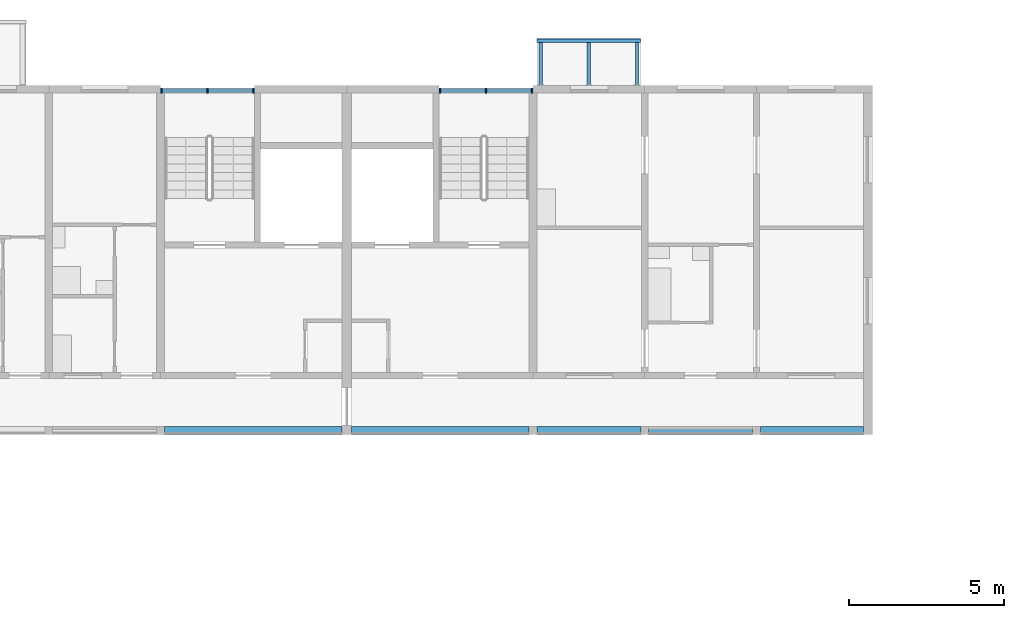
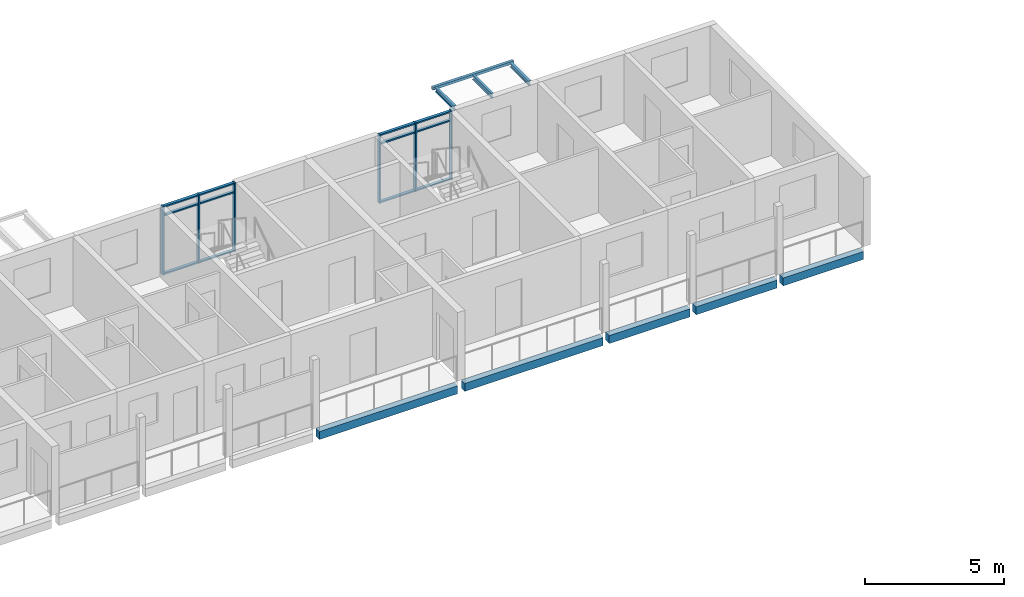
# One storey, part 28 of 115: 18 members, 9 beams, 2 elements without a shape of their own.
"""IFC4 building model written with IfcOpenShell, lengths in metres."""

from ifc_helpers import new_model, si_unit, direction, frame, origin, origin_2d, place, context, subcontext, project, spatial, rectangle, hollow_rectangle, i_section, extrude, material, material_profile, profile_set, type_object, element, aggregate, save


model = new_model("IFC4")

# Units and contexts
model_context = context("Model", 3, precision=1e-05, world=origin(), true_north=direction((0.0, 1.0)))
body_context = subcontext(model_context, "Body", "Model", "MODEL_VIEW")
ifc_project = project(units=[si_unit("LENGTHUNIT", "METRE"), si_unit("AREAUNIT", "SQUARE_METRE"), si_unit("VOLUMEUNIT", "CUBIC_METRE"), si_unit("PLANEANGLEUNIT", "RADIAN"), si_unit("MASSUNIT", "GRAM", prefix="KILO")], contexts=[model_context])

# Site, building, storey
site_placement = place(None, origin())
site = spatial("IfcSite", under=ifc_project, at=site_placement, CompositionType="ELEMENT")
building_placement = place(site_placement, origin())
building = spatial("IfcBuilding", under=site, at=building_placement, Name="Ridgestep Commons", CompositionType="ELEMENT")
storey_placement = place(building_placement, frame((0.0, 0.0, 6.0)))
storey = spatial("IfcBuildingStorey", under=building, at=storey_placement, Name="L02", CompositionType="ELEMENT", Elevation=6.0)

# Beams
ifc_material_1 = material(Name="Precast concrete C40/50", Category="concrete")
ifc_material_profile_1 = material_profile(ifc_material_1, rectangle(XDim=0.25, YDim=0.35009765625, at=origin_2d()), Name="PC 250x350")
ifc_profile_set_1 = profile_set([ifc_material_profile_1], Name="Precast concrete C40/50")
beam_type_1 = type_object("IfcBeamType", Name="Loggia edge beam 250 x 350", PredefinedType="SPANDREL", material=ifc_profile_set_1)
beam_1_placement = place(storey_placement, frame((224.925048828125, 66.125, -0.375), z_axis=(1.0, 0.0, 0.0), x_axis=(0.0, 1.0, 0.0)))
element("IfcBeam", 1, at=beam_1_placement, inside=storey, type_object=beam_type_1, Name="Loggia edge beam C5C L02", PredefinedType="SPANDREL", context=body_context, shape_type="SweptSolid", body=[
    extrude(rectangle(XDim=0.25, YDim=0.35009765625, at=origin_2d()), origin(), (0.0, 0.0, 1.0), 5.724853515625),
])
beam_2_placement = place(storey_placement, frame((230.949951171875, 66.125, -0.375), z_axis=(1.0, 0.0, 0.0), x_axis=(0.0, 1.0, 0.0)))
element("IfcBeam", 2, at=beam_2_placement, inside=storey, type_object=beam_type_1, Name="Loggia edge beam C6C L02", PredefinedType="SPANDREL", context=body_context, shape_type="SweptSolid", body=[
    extrude(rectangle(XDim=0.25, YDim=0.35009765625, at=origin_2d()), origin(), (0.0, 0.0, 1.0), 5.72509765625),
])
beam_3_placement = place(storey_placement, frame((236.925048828125, 66.125, -0.375), z_axis=(1.0, 0.0, 0.0), x_axis=(0.0, 1.0, 0.0)))
element("IfcBeam", 3, at=beam_3_placement, inside=storey, type_object=beam_type_1, Name="Loggia edge beam C6T3 L02", PredefinedType="SPANDREL", context=body_context, shape_type="SweptSolid", body=[
    extrude(rectangle(XDim=0.25, YDim=0.35009765625, at=origin_2d()), origin(), (0.0, 0.0, 1.0), 3.349853515625),
])
beam_4_placement = place(storey_placement, frame((240.52490234375, 66.125, -0.375), z_axis=(1.0, 0.0, 0.0), x_axis=(0.0, 1.0, 0.0)))
element("IfcBeam", 4, at=beam_4_placement, inside=storey, type_object=beam_type_1, Name="Loggia edge beam C6T2 L02", PredefinedType="SPANDREL", context=body_context, shape_type="SweptSolid", body=[
    extrude(rectangle(XDim=0.25, YDim=0.35009765625, at=origin_2d()), origin(), (0.0, 0.0, 1.0), 3.35009765625),
])
beam_5_placement = place(storey_placement, frame((244.125, 66.125, -0.375), z_axis=(1.0, 0.0, 0.0), x_axis=(0.0, 1.0, 0.0)))
element("IfcBeam", 5, at=beam_5_placement, inside=storey, type_object=beam_type_1, Name="Loggia edge beam C6T1 L02", PredefinedType="SPANDREL", context=body_context, shape_type="SweptSolid", body=[
    extrude(rectangle(XDim=0.25, YDim=0.35009765625, at=origin_2d()), origin(), (0.0, 0.0, 1.0), 3.324951171875),
])

# Curtain wall, members
ifc_material_2 = material(Name="Aluminium 6063-T6 and glass", Category="aluminium")
curtain_wall_type = type_object("IfcCurtainWallType", Name="Curtain wall stair strip", PredefinedType="NOTDEFINED", material=ifc_material_2)
curtain_wall_1_placement = place(storey_placement, origin())
curtain_wall_1 = element("IfcCurtainWall", 6, at=curtain_wall_1_placement, inside=storey, type_object=curtain_wall_type, Name="Curtain wall C5C level 02", PredefinedType="NOTDEFINED")
ifc_material_3 = material(Name="Aluminium 6063-T6", Category="aluminium")
ifc_material_profile_2 = material_profile(ifc_material_3, rectangle(XDim=0.159912109375, YDim=0.06005859375, at=origin_2d()), Name="Mullion 60 x 160")
ifc_profile_set_2 = profile_set([ifc_material_profile_2], Name="Aluminium 6063-T6")
member_type_1 = type_object("IfcMemberType", Name="Mullion 60 x 160", PredefinedType="MULLION", material=ifc_profile_set_2)
member_1_placement = place(storey_placement, frame((224.830078125, 77.080078125, 0.0), z_axis=(0.0, 0.0, 1.0), x_axis=(0.0, 1.0, 0.0)))
member_1 = element("IfcMember", 7, at=member_1_placement, type_object=member_type_1, Name="CW1 mullion 1", PredefinedType="MULLION", context=body_context, shape_type="SweptSolid", body=[
    extrude(rectangle(XDim=0.159912109375, YDim=0.06005859375, at=origin_2d()), origin(), (0.0, 0.0, 1.0), 3.0),
])
member_2_placement = place(storey_placement, frame((226.3125, 77.080078125, 0.0), z_axis=(0.0, 0.0, 1.0), x_axis=(0.0, 1.0, 0.0)))
member_2 = element("IfcMember", 8, at=member_2_placement, type_object=member_type_1, Name="CW1 mullion 2", PredefinedType="MULLION", context=body_context, shape_type="SweptSolid", body=[
    extrude(rectangle(XDim=0.159912109375, YDim=0.06005859375, at=origin_2d()), origin(), (0.0, 0.0, 1.0), 3.0),
])
member_3_placement = place(storey_placement, frame((227.794921875, 77.080078125, 0.0), z_axis=(0.0, 0.0, 1.0), x_axis=(0.0, 1.0, 0.0)))
member_3 = element("IfcMember", 9, at=member_3_placement, type_object=member_type_1, Name="CW1 mullion 3", PredefinedType="MULLION", context=body_context, shape_type="SweptSolid", body=[
    extrude(rectangle(XDim=0.159912109375, YDim=0.06005859375, at=origin_2d()), origin(), (0.0, 0.0, 1.0), 3.0),
])

curtain_wall_2_placement = place(storey_placement, origin())
curtain_wall_2 = element("IfcCurtainWall", 10, at=curtain_wall_2_placement, inside=storey, type_object=curtain_wall_type, Name="Curtain wall C6C level 02", PredefinedType="NOTDEFINED")
member_4_placement = place(storey_placement, frame((233.804931640625, 77.080078125, 0.0), z_axis=(0.0, 0.0, 1.0), x_axis=(0.0, 1.0, 0.0)))
member_4 = element("IfcMember", 11, at=member_4_placement, type_object=member_type_1, Name="CW1 mullion 1", PredefinedType="MULLION", context=body_context, shape_type="SweptSolid", body=[
    extrude(rectangle(XDim=0.159912109375, YDim=0.06005859375, at=origin_2d()), origin(), (0.0, 0.0, 1.0), 3.0),
])
member_5_placement = place(storey_placement, frame((235.28759765625, 77.080078125, 0.0), z_axis=(0.0, 0.0, 1.0), x_axis=(0.0, 1.0, 0.0)))
member_5 = element("IfcMember", 12, at=member_5_placement, type_object=member_type_1, Name="CW1 mullion 2", PredefinedType="MULLION", context=body_context, shape_type="SweptSolid", body=[
    extrude(rectangle(XDim=0.159912109375, YDim=0.06005859375, at=origin_2d()), origin(), (0.0, 0.0, 1.0), 3.0),
])
member_6_placement = place(storey_placement, frame((236.77001953125, 77.080078125, 0.0), z_axis=(0.0, 0.0, 1.0), x_axis=(0.0, 1.0, 0.0)))
member_6 = element("IfcMember", 13, at=member_6_placement, type_object=member_type_1, Name="CW1 mullion 3", PredefinedType="MULLION", context=body_context, shape_type="SweptSolid", body=[
    extrude(rectangle(XDim=0.159912109375, YDim=0.06005859375, at=origin_2d()), origin(), (0.0, 0.0, 1.0), 3.0),
])

# Member
ifc_material_4 = material(Name="Aluminium 6063-T6", Category="aluminium")
ifc_material_profile_3 = material_profile(ifc_material_4, rectangle(XDim=0.1201171875, YDim=0.06005859375, at=origin_2d()), Name="Transom 60 x 120")
ifc_profile_set_3 = profile_set([ifc_material_profile_3], Name="Aluminium 6063-T6")
member_type_2 = type_object("IfcMemberType", Name="Transom 60 x 120", PredefinedType="USERDEFINED", material=ifc_profile_set_3)
member_7_placement = place(storey_placement, frame((224.860107421875, 77.080078125, 0.030029296875), z_axis=(1.0, 0.0, 0.0), x_axis=(0.0, 1.0, 0.0)))
member_7 = element("IfcMember", 14, at=member_7_placement, type_object=member_type_2, Name="CW1 transom 1.1", ObjectType="TRANSOM", PredefinedType="USERDEFINED", context=body_context, shape_type="SweptSolid", body=[
    extrude(rectangle(XDim=0.1201171875, YDim=0.06005859375, at=origin_2d()), origin(), (0.0, 0.0, 1.0), 1.42236328125),
])

member_8_placement = place(storey_placement, frame((224.860107421875, 77.080078125, 2.590087890625), z_axis=(1.0, 0.0, 0.0), x_axis=(0.0, 1.0, 0.0)))
member_8 = element("IfcMember", 15, at=member_8_placement, type_object=member_type_2, Name="CW1 transom 1.2", ObjectType="TRANSOM", PredefinedType="USERDEFINED", context=body_context, shape_type="SweptSolid", body=[
    extrude(rectangle(XDim=0.1201171875, YDim=0.06005859375, at=origin_2d()), origin(), (0.0, 0.0, 1.0), 1.42236328125),
])

member_9_placement = place(storey_placement, frame((224.860107421875, 77.080078125, 2.969970703125), z_axis=(1.0, 0.0, 0.0), x_axis=(0.0, 1.0, 0.0)))
member_9 = element("IfcMember", 16, at=member_9_placement, type_object=member_type_2, Name="CW1 transom 1.3", ObjectType="TRANSOM", PredefinedType="USERDEFINED", context=body_context, shape_type="SweptSolid", body=[
    extrude(rectangle(XDim=0.1201171875, YDim=0.06005859375, at=origin_2d()), origin(), (0.0, 0.0, 1.0), 1.42236328125),
])

member_10_placement = place(storey_placement, frame((226.342529296875, 77.080078125, 0.030029296875), z_axis=(1.0, 0.0, 0.0), x_axis=(0.0, 1.0, 0.0)))
member_10 = element("IfcMember", 17, at=member_10_placement, type_object=member_type_2, Name="CW1 transom 2.1", ObjectType="TRANSOM", PredefinedType="USERDEFINED", context=body_context, shape_type="SweptSolid", body=[
    extrude(rectangle(XDim=0.1201171875, YDim=0.06005859375, at=origin_2d()), origin(), (0.0, 0.0, 1.0), 1.42236328125),
])

member_11_placement = place(storey_placement, frame((226.342529296875, 77.080078125, 2.590087890625), z_axis=(1.0, 0.0, 0.0), x_axis=(0.0, 1.0, 0.0)))
member_11 = element("IfcMember", 18, at=member_11_placement, type_object=member_type_2, Name="CW1 transom 2.2", ObjectType="TRANSOM", PredefinedType="USERDEFINED", context=body_context, shape_type="SweptSolid", body=[
    extrude(rectangle(XDim=0.1201171875, YDim=0.06005859375, at=origin_2d()), origin(), (0.0, 0.0, 1.0), 1.42236328125),
])

member_12_placement = place(storey_placement, frame((226.342529296875, 77.080078125, 2.969970703125), z_axis=(1.0, 0.0, 0.0), x_axis=(0.0, 1.0, 0.0)))
member_12 = element("IfcMember", 19, at=member_12_placement, type_object=member_type_2, Name="CW1 transom 2.3", ObjectType="TRANSOM", PredefinedType="USERDEFINED", context=body_context, shape_type="SweptSolid", body=[
    extrude(rectangle(XDim=0.1201171875, YDim=0.06005859375, at=origin_2d()), origin(), (0.0, 0.0, 1.0), 1.42236328125),
])

aggregate(curtain_wall_1, [member_1, member_2, member_3, member_7, member_8, member_9, member_10, member_11, member_12])

member_13_placement = place(storey_placement, frame((233.8349609375, 77.080078125, 0.030029296875), z_axis=(1.0, 0.0, 0.0), x_axis=(0.0, 1.0, 0.0)))
member_13 = element("IfcMember", 20, at=member_13_placement, type_object=member_type_2, Name="CW1 transom 1.1", ObjectType="TRANSOM", PredefinedType="USERDEFINED", context=body_context, shape_type="SweptSolid", body=[
    extrude(rectangle(XDim=0.1201171875, YDim=0.06005859375, at=origin_2d()), origin(), (0.0, 0.0, 1.0), 1.422607421875),
])

member_14_placement = place(storey_placement, frame((233.8349609375, 77.080078125, 2.590087890625), z_axis=(1.0, 0.0, 0.0), x_axis=(0.0, 1.0, 0.0)))
member_14 = element("IfcMember", 21, at=member_14_placement, type_object=member_type_2, Name="CW1 transom 1.2", ObjectType="TRANSOM", PredefinedType="USERDEFINED", context=body_context, shape_type="SweptSolid", body=[
    extrude(rectangle(XDim=0.1201171875, YDim=0.06005859375, at=origin_2d()), origin(), (0.0, 0.0, 1.0), 1.422607421875),
])

member_15_placement = place(storey_placement, frame((233.8349609375, 77.080078125, 2.969970703125), z_axis=(1.0, 0.0, 0.0), x_axis=(0.0, 1.0, 0.0)))
member_15 = element("IfcMember", 22, at=member_15_placement, type_object=member_type_2, Name="CW1 transom 1.3", ObjectType="TRANSOM", PredefinedType="USERDEFINED", context=body_context, shape_type="SweptSolid", body=[
    extrude(rectangle(XDim=0.1201171875, YDim=0.06005859375, at=origin_2d()), origin(), (0.0, 0.0, 1.0), 1.422607421875),
])

member_16_placement = place(storey_placement, frame((235.3173828125, 77.080078125, 0.030029296875), z_axis=(1.0, 0.0, 0.0), x_axis=(0.0, 1.0, 0.0)))
member_16 = element("IfcMember", 23, at=member_16_placement, type_object=member_type_2, Name="CW1 transom 2.1", ObjectType="TRANSOM", PredefinedType="USERDEFINED", context=body_context, shape_type="SweptSolid", body=[
    extrude(rectangle(XDim=0.1201171875, YDim=0.06005859375, at=origin_2d()), origin(), (0.0, 0.0, 1.0), 1.422607421875),
])

member_17_placement = place(storey_placement, frame((235.3173828125, 77.080078125, 2.590087890625), z_axis=(1.0, 0.0, 0.0), x_axis=(0.0, 1.0, 0.0)))
member_17 = element("IfcMember", 24, at=member_17_placement, type_object=member_type_2, Name="CW1 transom 2.2", ObjectType="TRANSOM", PredefinedType="USERDEFINED", context=body_context, shape_type="SweptSolid", body=[
    extrude(rectangle(XDim=0.1201171875, YDim=0.06005859375, at=origin_2d()), origin(), (0.0, 0.0, 1.0), 1.422607421875),
])

member_18_placement = place(storey_placement, frame((235.3173828125, 77.080078125, 2.969970703125), z_axis=(1.0, 0.0, 0.0), x_axis=(0.0, 1.0, 0.0)))
member_18 = element("IfcMember", 25, at=member_18_placement, type_object=member_type_2, Name="CW1 transom 2.3", ObjectType="TRANSOM", PredefinedType="USERDEFINED", context=body_context, shape_type="SweptSolid", body=[
    extrude(rectangle(XDim=0.1201171875, YDim=0.06005859375, at=origin_2d()), origin(), (0.0, 0.0, 1.0), 1.422607421875),
])

aggregate(curtain_wall_2, [member_4, member_5, member_6, member_13, member_14, member_15, member_16, member_17, member_18])

# Beams
ifc_material_5 = material(Name="Weathering steel S355J2W", Category="steel")
ifc_material_profile_4 = material_profile(ifc_material_5, i_section(OverallWidth=0.101806640625, OverallDepth=0.203125, WebThickness=0.00537109375, FlangeThickness=0.00927734375, FilletRadius=0.007568359375, at=origin_2d()), Name="UB 203x102x23")
ifc_profile_set_4 = profile_set([ifc_material_profile_4], Name="Weathering steel S355J2W")
beam_type_2 = type_object("IfcBeamType", Name="Tray arm UB 203x102x23", PredefinedType="BEAM", material=ifc_profile_set_4)
for number, where, z_axis, x_axis, name in (
    (26, (237.050048828125, 77.264892578125, 2.888427734375), (0.0, 1.0, 0.0), (-1.0, 0.0, 0.0), "Tray arm C6T3-03.1"),
    (27, (238.60009765625, 77.264892578125, 2.888427734375), (0.0, 1.0, 0.0), (-1.0, 0.0, 0.0), "Tray arm C6T3-03.2"),
    (28, (240.14990234375, 77.264892578125, 2.888427734375), (0.0, 1.0, 0.0), (-1.0, 0.0, 0.0), "Tray arm C6T3-03.3"),
):
    element("IfcBeam", number, at=place(storey_placement, frame(where, z_axis=z_axis, x_axis=x_axis)), inside=storey, type_object=beam_type_2, Name=name, PredefinedType="BEAM", context=body_context, shape_type="SweptSolid", body=[
        extrude(i_section(OverallWidth=0.101806640625, OverallDepth=0.203125, WebThickness=0.00537109375, FlangeThickness=0.00927734375, FilletRadius=0.007568359375, at=origin_2d()), origin(), (0.0, 0.0, 1.0), 1.364990234375),
    ])
ifc_material_6 = material(Name="Weathering steel S355J2W", Category="steel")
ifc_material_profile_5 = material_profile(ifc_material_6, hollow_rectangle(XDim=0.1201171875, YDim=0.1201171875, WallThickness=0.00634765625, InnerFilletRadius=0.00634765625, OuterFilletRadius=0.009521484375, at=origin_2d()), Name="SHS 120x120x6.3")
ifc_profile_set_5 = profile_set([ifc_material_profile_5], Name="Weathering steel S355J2W")
beam_type_3 = type_object("IfcBeamType", Name="Tray edge member SHS 120x120x6.3", PredefinedType="BEAM", material=ifc_profile_set_5)
beam_6_placement = place(storey_placement, frame((236.929931640625, 78.68994140625, 2.929931640625), z_axis=(1.0, 0.0, 0.0), x_axis=(0.0, 0.0, 1.0)))
element("IfcBeam", 29, at=beam_6_placement, inside=storey, type_object=beam_type_3, Name="Tray edge member C6T3-03", PredefinedType="BEAM", context=body_context, shape_type="SweptSolid", body=[
    extrude(hollow_rectangle(XDim=0.1201171875, YDim=0.1201171875, WallThickness=0.00634765625, InnerFilletRadius=0.00634765625, OuterFilletRadius=0.009521484375, at=origin_2d()), origin(), (0.0, 0.0, 1.0), 3.340087890625),
])

save(model, "model.ifc")
